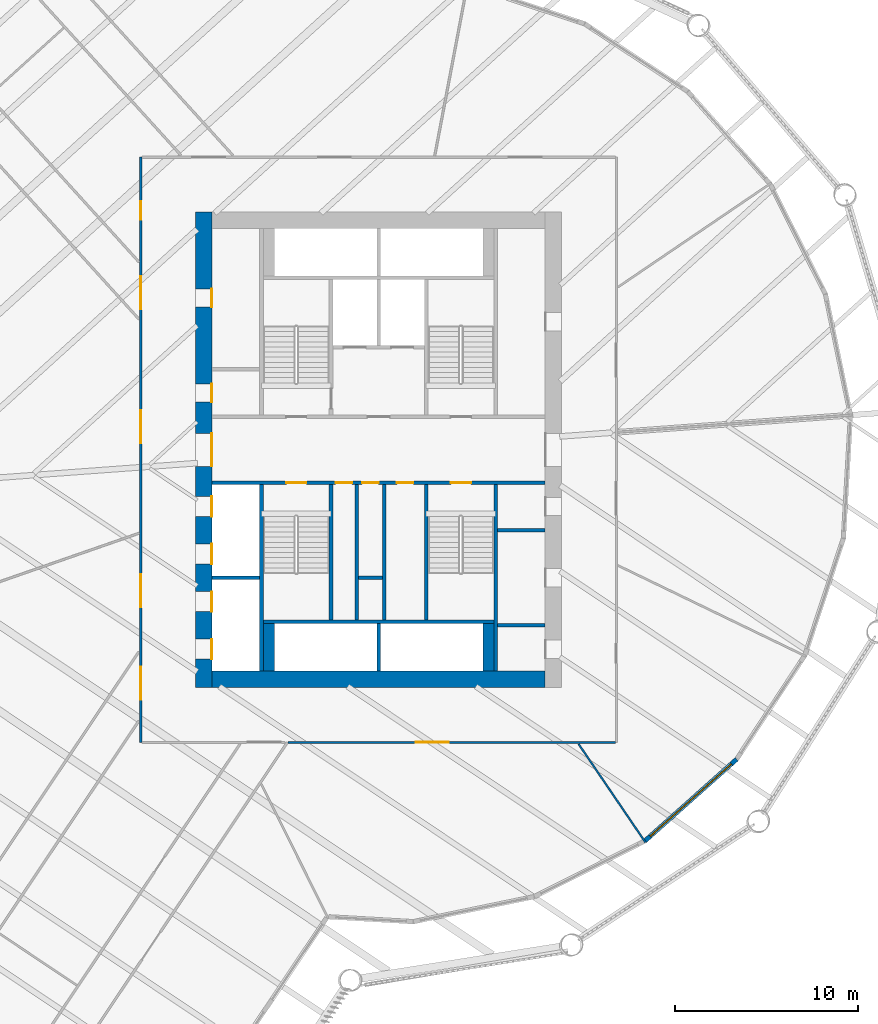
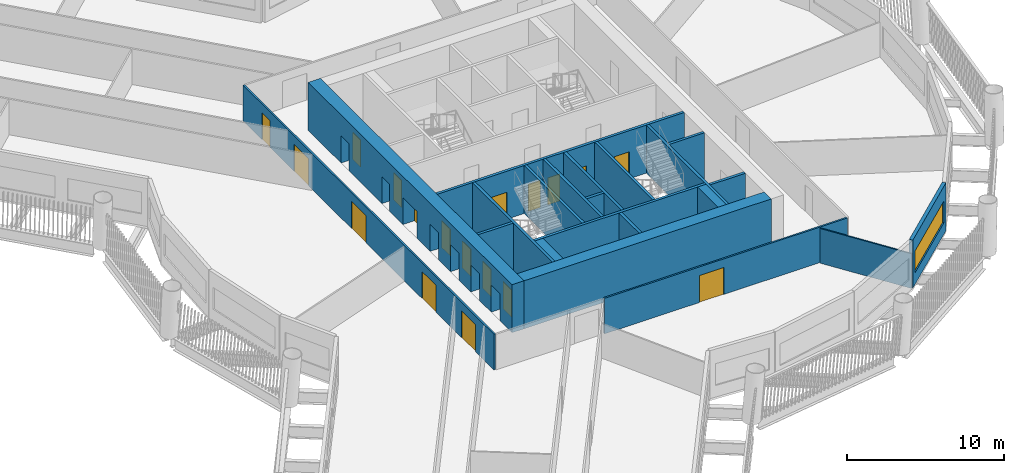
# One storey, part 4 of 15: 21 walls, 18 doors, 1 window, 19 openings.
"""IFC4 building model written with IfcOpenShell, lengths in metres."""

from ifc_helpers import new_model, si_unit, direction, frame, frame_2d, origin, place, context, subcontext, project, spatial, rectangle, extrude, material, layer, layer_set, type_object, element, fill, save


model = new_model("IFC4")

# Units and contexts
model_context = context("Model", 3, precision=1e-05, world=origin(), true_north=direction((0.0, 1.0)))
body_context = subcontext(model_context, "Body", "Model", "MODEL_VIEW")
ifc_project = project(units=[si_unit("LENGTHUNIT", "METRE"), si_unit("AREAUNIT", "SQUARE_METRE"), si_unit("VOLUMEUNIT", "CUBIC_METRE"), si_unit("PLANEANGLEUNIT", "RADIAN"), si_unit("MASSUNIT", "GRAM", prefix="KILO")], contexts=[model_context])

# Site, building, storey
site_placement = place(None, origin())
site = spatial("IfcSite", under=ifc_project, at=site_placement, CompositionType="ELEMENT")
building_placement = place(site_placement, origin())
building = spatial("IfcBuilding", under=site, at=building_placement, Name="Tarsis Ring Headquarters", CompositionType="ELEMENT")
storey_placement = place(building_placement, frame((0.0, 0.0, 59.5)))
storey = spatial("IfcBuildingStorey", under=building, at=storey_placement, Name="L12", CompositionType="ELEMENT", Elevation=59.5)

# Walls
ifc_material_1 = material(Name="Blockwork", Category="masonry")
ifc_layer_1 = layer(ifc_material_1, 0.199951171875)
ifc_layer_set_1 = layer_set([ifc_layer_1], Name="Core blockwork wall 200")
wall_type_1 = type_object("IfcWallType", Name="Core blockwork wall 200", PredefinedType="PARTITIONING", material=ifc_layer_set_1)
for number, where, z_axis, x_axis, name in (
    (1, (6.5, -9.60009765625, 0.0), (0.0, 0.0, 1.0), (1.0, 0.0, 0.0), "Core partition ED1"),
    (2, (6.5, -4.39990234375, 0.0), (0.0, 0.0, 1.0), (1.0, 0.0, 0.0), "Core partition ED3"),
):
    element("IfcWall", number, at=place(storey_placement, frame(where, z_axis=z_axis, x_axis=x_axis)), inside=storey, type_object=wall_type_1, Name=name, PredefinedType="PARTITIONING", context=body_context, shape_type="SweptSolid", body=[
        extrude(rectangle(XDim=2.60009765625, YDim=0.199951171875, at=frame_2d((1.300048828125, 0.0))), origin(), (0.0, 0.0, 1.0), 3.739990234375),
    ])
wall_1_placement = place(storey_placement, frame((-1.10009765625, -7.0, 0.0), z_axis=(0.0, 0.0, 1.0), x_axis=(1.0, 0.0, 0.0)))
element("IfcWall", 3, at=wall_1_placement, inside=storey, type_object=wall_type_1, Name="Core partition SP2", PredefinedType="PARTITIONING", context=body_context, shape_type="SweptSolid", body=[
    extrude(rectangle(XDim=1.300048828125, YDim=0.199951171875, at=frame_2d((0.64990234375, 0.0))), origin(), (0.0, 0.0, 1.0), 3.739990234375),
])
for number, where, z_axis, x_axis, name in (
    (4, (-1.199951171875, -9.300048828125, 0.0), (0.0, 0.0, 1.0), (0.0, 1.0, 0.0), "Core partition SV1"),
    (5, (0.300048828125, -9.300048828125, 0.0), (0.0, 0.0, 1.0), (0.0, 1.0, 0.0), "Core partition SV2"),
):
    element("IfcWall", number, at=place(storey_placement, frame(where, z_axis=z_axis, x_axis=x_axis)), inside=storey, type_object=wall_type_1, Name=name, PredefinedType="PARTITIONING", context=body_context, shape_type="SweptSolid", body=[
        extrude(rectangle(XDim=7.400146484375, YDim=0.199951171875, at=frame_2d((3.7001953125, 0.0))), origin(), (0.0, 0.0, 1.0), 3.739990234375),
    ])

# Wall, openings, doors
ifc_material_2 = material(Name="Concrete C60/75", Category="concrete")
ifc_layer_2 = layer(ifc_material_2, 0.89990234375)
ifc_layer_set_2 = layer_set([ifc_layer_2], Name="Core wall 900 C60/75")
wall_type_2 = type_object("IfcWallType", Name="Core wall 900 C60/75", PredefinedType="SHEAR", material=ifc_layer_set_2)
wall_2_placement = place(storey_placement, frame((-9.550048828125, -13.0, 0.0), z_axis=(0.0, 0.0, 1.0), x_axis=(0.0, 1.0, 0.0)))
wall_2 = element("IfcWall", 6, at=wall_2_placement, inside=storey, type_object=wall_type_2, Name="Core wall OW", PredefinedType="SHEAR", context=body_context, shape_type="SweptSolid", body=[
    extrude(rectangle(XDim=26.0, YDim=0.89990234375, at=frame_2d((13.0, 0.0))), origin(), (0.0, 0.0, 1.0), 3.739990234375),
])
opening_1_placement = place(wall_2_placement, frame((1.550048828125, 0.0, 0.0)))
opening_1 = element("IfcOpeningElement", 7, at=opening_1_placement, cuts=wall_2, Name="Opening LD-LR1", PredefinedType="OPENING", context=body_context, shape_type="SweptSolid", body=[
    extrude(rectangle(XDim=1.10009765625, YDim=2.10009765625, at=frame_2d((0.550048828125, 1.050048828125))), frame((0.0, 0.4599609375, 0.0), z_axis=(0.0, -1.0, 0.0), x_axis=(1.0, 0.0, 0.0)), (0.0, 0.0, 1.0), 0.919921875),
])
opening_2_placement = place(wall_2_placement, frame((4.14990234375, 0.0, 0.0)))
opening_2 = element("IfcOpeningElement", 8, at=opening_2_placement, cuts=wall_2, Name="Opening LD-LR2", PredefinedType="OPENING", context=body_context, shape_type="SweptSolid", body=[
    extrude(rectangle(XDim=1.10009765625, YDim=2.10009765625, at=frame_2d((0.550048828125, 1.050048828125))), frame((0.0, 0.4599609375, 0.0), z_axis=(0.0, -1.0, 0.0), x_axis=(1.0, 0.0, 0.0)), (0.0, 0.0, 1.0), 0.919921875),
])
opening_3_placement = place(wall_2_placement, frame((6.75, 0.0, 0.0)))
opening_3 = element("IfcOpeningElement", 9, at=opening_3_placement, cuts=wall_2, Name="Opening LD-LR3", PredefinedType="OPENING", context=body_context, shape_type="SweptSolid", body=[
    extrude(rectangle(XDim=1.10009765625, YDim=2.10009765625, at=frame_2d((0.550048828125, 1.050048828125))), frame((0.0, 0.4599609375, 0.0), z_axis=(0.0, -1.0, 0.0), x_axis=(1.0, 0.0, 0.0)), (0.0, 0.0, 1.0), 0.919921875),
])
opening_4_placement = place(wall_2_placement, frame((9.35009765625, 0.0, 0.0)))
opening_4 = element("IfcOpeningElement", 10, at=opening_4_placement, cuts=wall_2, Name="Opening LD-LR4", PredefinedType="OPENING", context=body_context, shape_type="SweptSolid", body=[
    extrude(rectangle(XDim=1.10009765625, YDim=2.10009765625, at=frame_2d((0.550048828125, 1.050048828125))), frame((0.0, 0.4599609375, 0.0), z_axis=(0.0, -1.0, 0.0), x_axis=(1.0, 0.0, 0.0)), (0.0, 0.0, 1.0), 0.919921875),
])
opening_5_placement = place(wall_2_placement, frame((12.10009765625, 0.0, 0.0)))
opening_5 = element("IfcOpeningElement", 11, at=opening_5_placement, cuts=wall_2, Name="Opening L12-C05", PredefinedType="OPENING", context=body_context, shape_type="SweptSolid", body=[
    extrude(rectangle(XDim=1.800048828125, YDim=2.10009765625, at=frame_2d((0.89990234375, 1.050048828125))), frame((0.0, 0.4599609375, 0.0), z_axis=(0.0, -1.0, 0.0), x_axis=(1.0, 0.0, 0.0)), (0.0, 0.0, 1.0), 0.919921875),
])
opening_6_placement = place(wall_2_placement, frame((15.60009765625, 0.0, 0.0)))
opening_6 = element("IfcOpeningElement", 12, at=opening_6_placement, cuts=wall_2, Name="Opening L12-C06", PredefinedType="OPENING", context=body_context, shape_type="SweptSolid", body=[
    extrude(rectangle(XDim=1.0, YDim=2.10009765625, at=frame_2d((0.5, 1.050048828125))), frame((0.0, 0.4599609375, 0.0), z_axis=(0.0, -1.0, 0.0), x_axis=(1.0, 0.0, 0.0)), (0.0, 0.0, 1.0), 0.919921875),
])
opening_7_placement = place(wall_2_placement, frame((20.800048828125, 0.0, 0.0)))
opening_7 = element("IfcOpeningElement", 13, at=opening_7_placement, cuts=wall_2, Name="Opening L12-C07", PredefinedType="OPENING", context=body_context, shape_type="SweptSolid", body=[
    extrude(rectangle(XDim=1.0, YDim=2.10009765625, at=frame_2d((0.5, 1.050048828125))), frame((0.0, 0.4599609375, 0.0), z_axis=(0.0, -1.0, 0.0), x_axis=(1.0, 0.0, 0.0)), (0.0, 0.0, 1.0), 0.919921875),
])
ifc_material_3 = material(Name="Steel S355", Category="steel")
door_type_1 = type_object("IfcDoorType", Name="Core entry door 1800x2100", OperationType="DOUBLE_DOOR_SINGLE_SWING", PredefinedType="DOOR", material=ifc_material_3)
door_1_placement = place(opening_5_placement, origin())
door_1 = element("IfcDoor", 14, at=door_1_placement, inside=storey, type_object=door_type_1, Name="Core entry door L12", OperationType="DOUBLE_DOOR_SINGLE_SWING", OverallHeight=2.10009765625, OverallWidth=1.800048828125, PredefinedType="DOOR", context=body_context, shape_type="SweptSolid", body=[
    extrude(rectangle(XDim=1.800048828125, YDim=2.10009765625, at=frame_2d((0.89990234375, 1.050048828125))), frame((0.0, -0.39990234375, 0.0), z_axis=(0.0, -1.0, 0.0), x_axis=(1.0, 0.0, 0.0)), (0.0, 0.0, 1.0), 0.050048828125),
])
fill(opening_5, door_1)
door_type_2 = type_object("IfcDoorType", Name="Core room door 1000x2100", OperationType="SINGLE_SWING_LEFT", PredefinedType="DOOR", material=ifc_material_3)
door_2_placement = place(opening_6_placement, origin())
door_2 = element("IfcDoor", 15, at=door_2_placement, inside=storey, type_object=door_type_2, Name="Core room door L12", OperationType="SINGLE_SWING_LEFT", OverallHeight=2.10009765625, OverallWidth=1.0, PredefinedType="DOOR", context=body_context, shape_type="SweptSolid", body=[
    extrude(rectangle(XDim=1.0, YDim=2.10009765625, at=frame_2d((0.5, 1.050048828125))), frame((0.0, -0.39990234375, 0.0), z_axis=(0.0, -1.0, 0.0), x_axis=(1.0, 0.0, 0.0)), (0.0, 0.0, 1.0), 0.050048828125),
])
fill(opening_6, door_2)
door_3_placement = place(opening_7_placement, origin())
door_3 = element("IfcDoor", 16, at=door_3_placement, inside=storey, type_object=door_type_2, Name="Core room door L12", OperationType="SINGLE_SWING_LEFT", OverallHeight=2.10009765625, OverallWidth=1.0, PredefinedType="DOOR", context=body_context, shape_type="SweptSolid", body=[
    extrude(rectangle(XDim=1.0, YDim=2.10009765625, at=frame_2d((0.5, 1.050048828125))), frame((0.0, -0.39990234375, 0.0), z_axis=(0.0, -1.0, 0.0), x_axis=(1.0, 0.0, 0.0)), (0.0, 0.0, 1.0), 0.050048828125),
])
fill(opening_7, door_3)
door_type_3 = type_object("IfcDoorType", Name="Landing door 1100x2100", OperationType="SLIDING_TO_LEFT", PredefinedType="DOOR", material=ifc_material_3)
door_4_placement = place(opening_1_placement, origin())
door_4 = element("IfcDoor", 17, at=door_4_placement, inside=storey, type_object=door_type_3, Name="Landing door LR1 L12", OperationType="SLIDING_TO_LEFT", OverallHeight=2.10009765625, OverallWidth=1.10009765625, PredefinedType="DOOR", context=body_context, shape_type="SweptSolid", body=[
    extrude(rectangle(XDim=1.10009765625, YDim=2.10009765625, at=frame_2d((0.550048828125, 1.050048828125))), frame((0.0, -0.39990234375, 0.0), z_axis=(0.0, -1.0, 0.0), x_axis=(1.0, 0.0, 0.0)), (0.0, 0.0, 1.0), 0.050048828125),
])
fill(opening_1, door_4)
door_5_placement = place(opening_2_placement, origin())
door_5 = element("IfcDoor", 18, at=door_5_placement, inside=storey, type_object=door_type_3, Name="Landing door LR2 L12", OperationType="SLIDING_TO_LEFT", OverallHeight=2.10009765625, OverallWidth=1.10009765625, PredefinedType="DOOR", context=body_context, shape_type="SweptSolid", body=[
    extrude(rectangle(XDim=1.10009765625, YDim=2.10009765625, at=frame_2d((0.550048828125, 1.050048828125))), frame((0.0, -0.39990234375, 0.0), z_axis=(0.0, -1.0, 0.0), x_axis=(1.0, 0.0, 0.0)), (0.0, 0.0, 1.0), 0.050048828125),
])
fill(opening_2, door_5)
door_6_placement = place(opening_3_placement, origin())
door_6 = element("IfcDoor", 19, at=door_6_placement, inside=storey, type_object=door_type_3, Name="Landing door LR3 L12", OperationType="SLIDING_TO_LEFT", OverallHeight=2.10009765625, OverallWidth=1.10009765625, PredefinedType="DOOR", context=body_context, shape_type="SweptSolid", body=[
    extrude(rectangle(XDim=1.10009765625, YDim=2.10009765625, at=frame_2d((0.550048828125, 1.050048828125))), frame((0.0, -0.39990234375, 0.0), z_axis=(0.0, -1.0, 0.0), x_axis=(1.0, 0.0, 0.0)), (0.0, 0.0, 1.0), 0.050048828125),
])
fill(opening_3, door_6)
door_7_placement = place(opening_4_placement, origin())
door_7 = element("IfcDoor", 20, at=door_7_placement, inside=storey, type_object=door_type_3, Name="Landing door LR4 L12", OperationType="SLIDING_TO_LEFT", OverallHeight=2.10009765625, OverallWidth=1.10009765625, PredefinedType="DOOR", context=body_context, shape_type="SweptSolid", body=[
    extrude(rectangle(XDim=1.10009765625, YDim=2.10009765625, at=frame_2d((0.550048828125, 1.050048828125))), frame((0.0, -0.39990234375, 0.0), z_axis=(0.0, -1.0, 0.0), x_axis=(1.0, 0.0, 0.0)), (0.0, 0.0, 1.0), 0.050048828125),
])
fill(opening_4, door_7)

# Walls
wall_3_placement = place(storey_placement, frame((-9.10009765625, -12.550048828125, 0.0), z_axis=(0.0, 0.0, 1.0), x_axis=(1.0, 0.0, 0.0)))
element("IfcWall", 21, at=wall_3_placement, inside=storey, type_object=wall_type_2, Name="Core wall OS", PredefinedType="SHEAR", context=body_context, shape_type="SweptSolid", body=[
    extrude(rectangle(XDim=18.2001953125, YDim=0.89990234375, at=frame_2d((9.10009765625, 0.0))), origin(), (0.0, 0.0, 1.0), 3.739990234375),
])
ifc_material_4 = material(Name="Gypsum board on steel studs", Category="steel")
ifc_layer_3 = layer(ifc_material_4, 0.10009765625)
ifc_layer_set_3 = layer_set([ifc_layer_3], Name="FL partition 100 unrated")
wall_type_3 = type_object("IfcWallType", Name="FL partition 100 unrated", PredefinedType="PARTITIONING", material=ifc_layer_set_3)
wall_4_placement = place(storey_placement, frame((10.9296875, -16.082763671875, 0.0), z_axis=(0.0, 0.0, 1.0), x_axis=(0.562111809654, -0.827061251327, 0.0)))
element("IfcWall", 22, at=wall_4_placement, inside=storey, type_object=wall_type_3, Name="Partition PW3", PredefinedType="PARTITIONING", context=body_context, shape_type="SweptSolid", body=[
    extrude(rectangle(XDim=6.502685546875, YDim=0.10009765625, at=frame_2d((3.25146484375, 0.0))), origin(), (0.0, 0.0, 1.0), 2.699951171875),
])

# Wall, openings, doors
ifc_layer_4 = layer(ifc_material_4, 0.125)
ifc_layer_set_4 = layer_set([ifc_layer_4], Name="FL partition 125 EI 60 H2770")
wall_type_4 = type_object("IfcWallType", Name="FL partition 125 EI 60 H2770", PredefinedType="PARTITIONING", material=ifc_layer_set_4)
wall_5_placement = place(storey_placement, frame((-13.0, -15.9990234375, 0.0), z_axis=(0.0, 0.0, 1.0), x_axis=(0.0, 1.0, 0.0)))
wall_5 = element("IfcWall", 23, at=wall_5_placement, inside=storey, type_object=wall_type_4, Name="Partition PW1", PredefinedType="PARTITIONING", context=body_context, shape_type="SweptSolid", body=[
    extrude(rectangle(XDim=31.998046875, YDim=0.125, at=frame_2d((15.9990234375, 0.0))), origin(), (0.0, 0.0, 1.0), 2.77001953125),
])
opening_8_placement = place(wall_5_placement, frame((7.395263671875, 0.0, 0.0)))
opening_8 = element("IfcOpeningElement", 24, at=opening_8_placement, cuts=wall_5, Name="Opening D12.11", PredefinedType="OPENING", context=body_context, shape_type="SweptSolid", body=[
    extrude(rectangle(XDim=1.800048828125, YDim=2.10009765625, at=frame_2d((0.89990234375, 1.050048828125))), frame((0.0, 0.072509765625, 0.0), z_axis=(0.0, -1.0, 0.0), x_axis=(1.0, 0.0, 0.0)), (0.0, 0.0, 1.0), 0.14501953125),
])
opening_9_placement = place(wall_5_placement, frame((16.34912109375, 0.0, 0.0)))
opening_9 = element("IfcOpeningElement", 25, at=opening_9_placement, cuts=wall_5, Name="Opening D12.12", PredefinedType="OPENING", context=body_context, shape_type="SweptSolid", body=[
    extrude(rectangle(XDim=1.800048828125, YDim=2.10009765625, at=frame_2d((0.89990234375, 1.050048828125))), frame((0.0, 0.072509765625, 0.0), z_axis=(0.0, -1.0, 0.0), x_axis=(1.0, 0.0, 0.0)), (0.0, 0.0, 1.0), 0.14501953125),
])
opening_10_placement = place(wall_5_placement, frame((28.575439453125, 0.0, 0.0)))
opening_10 = element("IfcOpeningElement", 26, at=opening_10_placement, cuts=wall_5, Name="Opening D12.13", PredefinedType="OPENING", context=body_context, shape_type="SweptSolid", body=[
    extrude(rectangle(XDim=1.0, YDim=2.10009765625, at=frame_2d((0.5, 1.050048828125))), frame((0.0, 0.072509765625, 0.0), z_axis=(0.0, -1.0, 0.0), x_axis=(1.0, 0.0, 0.0)), (0.0, 0.0, 1.0), 0.14501953125),
])
opening_11_placement = place(wall_5_placement, frame((2.3310546875, 0.0, 0.0)))
opening_11 = element("IfcOpeningElement", 27, at=opening_11_placement, cuts=wall_5, Name="Opening D12.17", PredefinedType="OPENING", context=body_context, shape_type="SweptSolid", body=[
    extrude(rectangle(XDim=1.800048828125, YDim=2.10009765625, at=frame_2d((0.89990234375, 1.050048828125))), frame((0.0, 0.072509765625, 0.0), z_axis=(0.0, -1.0, 0.0), x_axis=(1.0, 0.0, 0.0)), (0.0, 0.0, 1.0), 0.14501953125),
])
opening_12_placement = place(wall_5_placement, frame((23.689697265625, 0.0, 0.0)))
opening_12 = element("IfcOpeningElement", 28, at=opening_12_placement, cuts=wall_5, Name="Opening D12.19", PredefinedType="OPENING", context=body_context, shape_type="SweptSolid", body=[
    extrude(rectangle(XDim=1.800048828125, YDim=2.10009765625, at=frame_2d((0.89990234375, 1.050048828125))), frame((0.0, 0.072509765625, 0.0), z_axis=(0.0, -1.0, 0.0), x_axis=(1.0, 0.0, 0.0)), (0.0, 0.0, 1.0), 0.14501953125),
])
ifc_material_5 = material(Name="Fire-rated timber door leaf in steel frame", Category="steel")
door_type_4 = type_object("IfcDoorType", Name="FL door FD60-1000", OperationType="NOTDEFINED", PredefinedType="DOOR", material=ifc_material_5)
door_8_placement = place(opening_10_placement, origin())
door_8 = element("IfcDoor", 29, at=door_8_placement, inside=storey, type_object=door_type_4, Name="Door D12.13", OperationType="SINGLE_SWING_LEFT", OverallHeight=2.10009765625, OverallWidth=1.0, PredefinedType="DOOR", context=body_context, shape_type="SweptSolid", body=[
    extrude(rectangle(XDim=1.0, YDim=2.10009765625, at=frame_2d((0.5, 1.050048828125))), frame((0.0, 0.02490234375, 0.0), z_axis=(0.0, -1.0, 0.0), x_axis=(1.0, 0.0, 0.0)), (0.0, 0.0, 1.0), 0.050048828125),
])
fill(opening_10, door_8)
door_type_5 = type_object("IfcDoorType", Name="FL door FD60-1800", OperationType="DOUBLE_DOOR_SINGLE_SWING", PredefinedType="DOOR", material=ifc_material_5)
door_9_placement = place(opening_8_placement, origin())
door_9 = element("IfcDoor", 30, at=door_9_placement, inside=storey, type_object=door_type_5, Name="Door D12.11", OperationType="DOUBLE_DOOR_SINGLE_SWING", OverallHeight=2.10009765625, OverallWidth=1.800048828125, PredefinedType="DOOR", context=body_context, shape_type="SweptSolid", body=[
    extrude(rectangle(XDim=1.800048828125, YDim=2.10009765625, at=frame_2d((0.89990234375, 1.050048828125))), frame((0.0, 0.02490234375, 0.0), z_axis=(0.0, -1.0, 0.0), x_axis=(1.0, 0.0, 0.0)), (0.0, 0.0, 1.0), 0.050048828125),
])
fill(opening_8, door_9)
door_10_placement = place(opening_9_placement, origin())
door_10 = element("IfcDoor", 31, at=door_10_placement, inside=storey, type_object=door_type_5, Name="Door D12.12", OperationType="DOUBLE_DOOR_SINGLE_SWING", OverallHeight=2.10009765625, OverallWidth=1.800048828125, PredefinedType="DOOR", context=body_context, shape_type="SweptSolid", body=[
    extrude(rectangle(XDim=1.800048828125, YDim=2.10009765625, at=frame_2d((0.89990234375, 1.050048828125))), frame((0.0, 0.02490234375, 0.0), z_axis=(0.0, -1.0, 0.0), x_axis=(1.0, 0.0, 0.0)), (0.0, 0.0, 1.0), 0.050048828125),
])
fill(opening_9, door_10)
door_11_placement = place(opening_11_placement, origin())
door_11 = element("IfcDoor", 32, at=door_11_placement, inside=storey, type_object=door_type_5, Name="Door D12.17", OperationType="DOUBLE_DOOR_SINGLE_SWING", OverallHeight=2.10009765625, OverallWidth=1.800048828125, PredefinedType="DOOR", context=body_context, shape_type="SweptSolid", body=[
    extrude(rectangle(XDim=1.800048828125, YDim=2.10009765625, at=frame_2d((0.89990234375, 1.050048828125))), frame((0.0, 0.02490234375, 0.0), z_axis=(0.0, -1.0, 0.0), x_axis=(1.0, 0.0, 0.0)), (0.0, 0.0, 1.0), 0.050048828125),
])
fill(opening_11, door_11)
door_12_placement = place(opening_12_placement, origin())
door_12 = element("IfcDoor", 33, at=door_12_placement, inside=storey, type_object=door_type_5, Name="Door D12.19", OperationType="DOUBLE_DOOR_SINGLE_SWING", OverallHeight=2.10009765625, OverallWidth=1.800048828125, PredefinedType="DOOR", context=body_context, shape_type="SweptSolid", body=[
    extrude(rectangle(XDim=1.800048828125, YDim=2.10009765625, at=frame_2d((0.89990234375, 1.050048828125))), frame((0.0, 0.02490234375, 0.0), z_axis=(0.0, -1.0, 0.0), x_axis=(1.0, 0.0, 0.0)), (0.0, 0.0, 1.0), 0.050048828125),
])
fill(opening_12, door_12)

# Wall, opening, door
wall_6_placement = place(storey_placement, frame((-4.943115234375, -16.0, 0.0), z_axis=(0.0, 0.0, 1.0), x_axis=(1.0, 0.0, 0.0)))
wall_6 = element("IfcWall", 34, at=wall_6_placement, inside=storey, type_object=wall_type_4, Name="Partition PW1", PredefinedType="PARTITIONING", context=body_context, shape_type="SweptSolid", body=[
    extrude(rectangle(XDim=17.883056640625, YDim=0.125, at=frame_2d((8.94140625, 0.0))), origin(), (0.0, 0.0, 1.0), 2.77001953125),
])
opening_13_placement = place(wall_6_placement, frame((6.982421875, 0.0, 0.0)))
opening_13 = element("IfcOpeningElement", 35, at=opening_13_placement, cuts=wall_6, Name="Opening D12.08", PredefinedType="OPENING", context=body_context, shape_type="SweptSolid", body=[
    extrude(rectangle(XDim=1.800048828125, YDim=2.10009765625, at=frame_2d((0.89990234375, 1.050048828125))), frame((0.0, 0.072509765625, 0.0), z_axis=(0.0, -1.0, 0.0), x_axis=(1.0, 0.0, 0.0)), (0.0, 0.0, 1.0), 0.14501953125),
])
door_13_placement = place(opening_13_placement, origin())
door_13 = element("IfcDoor", 36, at=door_13_placement, inside=storey, type_object=door_type_5, Name="Door D12.08", OperationType="DOUBLE_DOOR_SINGLE_SWING", OverallHeight=2.10009765625, OverallWidth=1.800048828125, PredefinedType="DOOR", context=body_context, shape_type="SweptSolid", body=[
    extrude(rectangle(XDim=1.800048828125, YDim=2.10009765625, at=frame_2d((0.89990234375, 1.050048828125))), frame((0.0, 0.02490234375, 0.0), z_axis=(0.0, -1.0, 0.0), x_axis=(1.0, 0.0, 0.0)), (0.0, 0.0, 1.0), 0.050048828125),
])
fill(opening_13, door_13)

# Wall, opening, window
ifc_material_6 = material(Name="Terracotta clad insulated panel wall", Category="masonry")
ifc_layer_5 = layer(ifc_material_6, 0.25)
ifc_layer_set_5 = layer_set([ifc_layer_5], Name="Facade wall terracotta panel 250")
wall_type_5 = type_object("IfcWallType", Name="Facade wall terracotta panel 250", PredefinedType="STANDARD", material=ifc_layer_set_5)
wall_7_placement = place(storey_placement, frame((14.5556640625, -21.388916015625, 0.0), z_axis=(0.0, 0.0, 1.0), x_axis=(0.746633273949, 0.66523586361, 0.0)))
wall_7 = element("IfcWall", 37, at=wall_7_placement, inside=storey, type_object=wall_type_5, Name="External wall L12-20", PredefinedType="STANDARD", context=body_context, shape_type="SweptSolid", body=[
    extrude(rectangle(XDim=6.7216796875, YDim=0.25, at=frame_2d((3.36083984375, 0.0))), origin(), (0.0, 0.0, 1.0), 3.739990234375),
])
opening_14_placement = place(wall_7_placement, frame((0.3857421875, 0.0, 0.89990234375)))
opening_14 = element("IfcOpeningElement", 38, at=opening_14_placement, cuts=wall_7, Name="Opening WN07", PredefinedType="OPENING", context=body_context, shape_type="SweptSolid", body=[
    extrude(rectangle(XDim=5.949951171875, YDim=1.699951171875, at=frame_2d((2.97509765625, 0.85009765625))), frame((0.0, 0.135009765625, 0.0), z_axis=(0.0, -1.0, 0.0), x_axis=(1.0, 0.0, 0.0)), (0.0, 0.0, 1.0), 0.27001953125),
])
ifc_material_7 = material(Name="Aluminium framed double glazing", Category="aluminium")
window_type = type_object("IfcWindowType", Name="Facade window 5950 x 1700", PartitioningType="SINGLE_PANEL", PredefinedType="WINDOW", material=ifc_material_7)
window_placement = place(opening_14_placement, origin())
window = element("IfcWindow", 39, at=window_placement, inside=storey, type_object=window_type, Name="Window L12-20.1", OverallHeight=1.699951171875, OverallWidth=5.949951171875, PartitioningType="SINGLE_PANEL", PredefinedType="WINDOW", context=body_context, shape_type="SweptSolid", body=[
    extrude(rectangle(XDim=5.949951171875, YDim=1.699951171875, at=frame_2d((2.97509765625, 0.85009765625))), frame((0.0, 0.030029296875, 0.0), z_axis=(0.0, -1.0, 0.0), x_axis=(1.0, 0.0, 0.0)), (0.0, 0.0, 1.0), 0.06005859375),
])
fill(opening_14, window)

# Walls
ifc_material_8 = material(Name="Concrete C32/40", Category="concrete")
ifc_layer_6 = layer(ifc_material_8, 0.60009765625)
ifc_layer_set_6 = layer_set([ifc_layer_6], Name="Shaft end wall 600 C32/40")
wall_type_6 = type_object("IfcWallType", Name="Shaft end wall 600 C32/40", PredefinedType="SOLIDWALL", material=ifc_layer_set_6)
for number, where, z_axis, x_axis, name in (
    (40, (-6.0, -12.10009765625, 0.0), (0.0, 0.0, 1.0), (0.0, 1.0, 0.0), "Core shaft wall SNE1"),
    (41, (6.0, -12.10009765625, 0.0), (0.0, 0.0, 1.0), (0.0, 1.0, 0.0), "Core shaft wall SNE2"),
):
    element("IfcWall", number, at=place(storey_placement, frame(where, z_axis=z_axis, x_axis=x_axis)), inside=storey, type_object=wall_type_6, Name=name, PredefinedType="SOLIDWALL", context=body_context, shape_type="SweptSolid", body=[
        extrude(rectangle(XDim=2.60009765625, YDim=0.60009765625, at=frame_2d((1.300048828125, 0.0))), origin(), (0.0, 0.0, 1.0), 3.739990234375),
    ])

# Wall, openings, doors
ifc_layer_7 = layer(ifc_material_8, 0.199951171875)
ifc_layer_set_7 = layer_set([ifc_layer_7], Name="Shaft wall 200 C32/40")
wall_type_7 = type_object("IfcWallType", Name="Shaft wall 200 C32/40", PredefinedType="SOLIDWALL", material=ifc_layer_set_7)
wall_8_placement = place(storey_placement, frame((-9.10009765625, -1.800048828125, 0.0), z_axis=(0.0, 0.0, 1.0), x_axis=(1.0, 0.0, 0.0)))
wall_8 = element("IfcWall", 42, at=wall_8_placement, inside=storey, type_object=wall_type_7, Name="Core shaft wall CS", PredefinedType="SOLIDWALL", context=body_context, shape_type="SweptSolid", body=[
    extrude(rectangle(XDim=18.2001953125, YDim=0.199951171875, at=frame_2d((9.10009765625, 0.0))), origin(), (0.0, 0.0, 1.0), 3.739990234375),
])
opening_15_placement = place(wall_8_placement, frame((4.050048828125, 0.0, 0.0)))
opening_15 = element("IfcOpeningElement", 43, at=opening_15_placement, cuts=wall_8, Name="Opening L12-C16", PredefinedType="OPENING", context=body_context, shape_type="SweptSolid", body=[
    extrude(rectangle(XDim=1.10009765625, YDim=2.10009765625, at=frame_2d((0.550048828125, 1.050048828125))), frame((0.0, 0.10986328125, 0.0), z_axis=(0.0, -1.0, 0.0), x_axis=(1.0, 0.0, 0.0)), (0.0, 0.0, 1.0), 0.219970703125),
])
opening_16_placement = place(wall_8_placement, frame((6.75, 0.0, 0.0)))
opening_16 = element("IfcOpeningElement", 44, at=opening_16_placement, cuts=wall_8, Name="Opening L12-C17", PredefinedType="OPENING", context=body_context, shape_type="SweptSolid", body=[
    extrude(rectangle(XDim=0.89990234375, YDim=2.10009765625, at=frame_2d((0.449951171875, 1.050048828125))), frame((0.0, 0.10986328125, 0.0), z_axis=(0.0, -1.0, 0.0), x_axis=(1.0, 0.0, 0.0)), (0.0, 0.0, 1.0), 0.219970703125),
])
opening_17_placement = place(wall_8_placement, frame((8.199951171875, 0.0, 0.0)))
opening_17 = element("IfcOpeningElement", 45, at=opening_17_placement, cuts=wall_8, Name="Opening L12-C18", PredefinedType="OPENING", context=body_context, shape_type="SweptSolid", body=[
    extrude(rectangle(XDim=0.89990234375, YDim=2.10009765625, at=frame_2d((0.449951171875, 1.050048828125))), frame((0.0, 0.10986328125, 0.0), z_axis=(0.0, -1.0, 0.0), x_axis=(1.0, 0.0, 0.0)), (0.0, 0.0, 1.0), 0.219970703125),
])
opening_18_placement = place(wall_8_placement, frame((10.10009765625, 0.0, 0.0)))
opening_18 = element("IfcOpeningElement", 46, at=opening_18_placement, cuts=wall_8, Name="Opening L12-C19", PredefinedType="OPENING", context=body_context, shape_type="SweptSolid", body=[
    extrude(rectangle(XDim=0.89990234375, YDim=2.10009765625, at=frame_2d((0.449951171875, 1.050048828125))), frame((0.0, 0.10986328125, 0.0), z_axis=(0.0, -1.0, 0.0), x_axis=(1.0, 0.0, 0.0)), (0.0, 0.0, 1.0), 0.219970703125),
])
opening_19_placement = place(wall_8_placement, frame((13.050048828125, 0.0, 0.0)))
opening_19 = element("IfcOpeningElement", 47, at=opening_19_placement, cuts=wall_8, Name="Opening L12-C20", PredefinedType="OPENING", context=body_context, shape_type="SweptSolid", body=[
    extrude(rectangle(XDim=1.10009765625, YDim=2.10009765625, at=frame_2d((0.550048828125, 1.050048828125))), frame((0.0, 0.10986328125, 0.0), z_axis=(0.0, -1.0, 0.0), x_axis=(1.0, 0.0, 0.0)), (0.0, 0.0, 1.0), 0.219970703125),
])
door_type_6 = type_object("IfcDoorType", Name="Stair door 1100x2100", OperationType="SINGLE_SWING_LEFT", PredefinedType="DOOR", material=ifc_material_3)
door_14_placement = place(opening_15_placement, origin())
door_14 = element("IfcDoor", 48, at=door_14_placement, inside=storey, type_object=door_type_6, Name="Stair door L12", OperationType="SINGLE_SWING_LEFT", OverallHeight=2.10009765625, OverallWidth=1.10009765625, PredefinedType="DOOR", context=body_context, shape_type="SweptSolid", body=[
    extrude(rectangle(XDim=1.10009765625, YDim=2.10009765625, at=frame_2d((0.550048828125, 1.050048828125))), frame((0.0, 0.02490234375, 0.0), z_axis=(0.0, -1.0, 0.0), x_axis=(1.0, 0.0, 0.0)), (0.0, 0.0, 1.0), 0.050048828125),
])
fill(opening_15, door_14)
door_15_placement = place(opening_19_placement, origin())
door_15 = element("IfcDoor", 49, at=door_15_placement, inside=storey, type_object=door_type_6, Name="Stair door L12", OperationType="SINGLE_SWING_LEFT", OverallHeight=2.10009765625, OverallWidth=1.10009765625, PredefinedType="DOOR", context=body_context, shape_type="SweptSolid", body=[
    extrude(rectangle(XDim=1.10009765625, YDim=2.10009765625, at=frame_2d((0.550048828125, 1.050048828125))), frame((0.0, 0.02490234375, 0.0), z_axis=(0.0, -1.0, 0.0), x_axis=(1.0, 0.0, 0.0)), (0.0, 0.0, 1.0), 0.050048828125),
])
fill(opening_19, door_15)
door_type_7 = type_object("IfcDoorType", Name="WC door 900x2100", OperationType="SINGLE_SWING_LEFT", PredefinedType="DOOR", material=ifc_material_3)
door_16_placement = place(opening_16_placement, origin())
door_16 = element("IfcDoor", 50, at=door_16_placement, inside=storey, type_object=door_type_7, Name="WC door L12", OperationType="SINGLE_SWING_LEFT", OverallHeight=2.10009765625, OverallWidth=0.89990234375, PredefinedType="DOOR", context=body_context, shape_type="SweptSolid", body=[
    extrude(rectangle(XDim=0.89990234375, YDim=2.10009765625, at=frame_2d((0.449951171875, 1.050048828125))), frame((0.0, 0.02490234375, 0.0), z_axis=(0.0, -1.0, 0.0), x_axis=(1.0, 0.0, 0.0)), (0.0, 0.0, 1.0), 0.050048828125),
])
fill(opening_16, door_16)
door_17_placement = place(opening_17_placement, origin())
door_17 = element("IfcDoor", 51, at=door_17_placement, inside=storey, type_object=door_type_7, Name="WC door L12", OperationType="SINGLE_SWING_LEFT", OverallHeight=2.10009765625, OverallWidth=0.89990234375, PredefinedType="DOOR", context=body_context, shape_type="SweptSolid", body=[
    extrude(rectangle(XDim=0.89990234375, YDim=2.10009765625, at=frame_2d((0.449951171875, 1.050048828125))), frame((0.0, 0.02490234375, 0.0), z_axis=(0.0, -1.0, 0.0), x_axis=(1.0, 0.0, 0.0)), (0.0, 0.0, 1.0), 0.050048828125),
])
fill(opening_17, door_17)
door_18_placement = place(opening_18_placement, origin())
door_18 = element("IfcDoor", 52, at=door_18_placement, inside=storey, type_object=door_type_7, Name="WC door L12", OperationType="SINGLE_SWING_LEFT", OverallHeight=2.10009765625, OverallWidth=0.89990234375, PredefinedType="DOOR", context=body_context, shape_type="SweptSolid", body=[
    extrude(rectangle(XDim=0.89990234375, YDim=2.10009765625, at=frame_2d((0.449951171875, 1.050048828125))), frame((0.0, 0.02490234375, 0.0), z_axis=(0.0, -1.0, 0.0), x_axis=(1.0, 0.0, 0.0)), (0.0, 0.0, 1.0), 0.050048828125),
])
fill(opening_18, door_18)

# Walls
for number, where, z_axis, x_axis, name in (
    (53, (-6.39990234375, -12.10009765625, 0.0), (0.0, 0.0, 1.0), (0.0, 1.0, 0.0), "Core shaft wall WB1"),
    (54, (6.39990234375, -12.10009765625, 0.0), (0.0, 0.0, 1.0), (0.0, 1.0, 0.0), "Core shaft wall EB1"),
):
    element("IfcWall", number, at=place(storey_placement, frame(where, z_axis=z_axis, x_axis=x_axis)), inside=storey, type_object=wall_type_7, Name=name, PredefinedType="SOLIDWALL", context=body_context, shape_type="SweptSolid", body=[
        extrude(rectangle(XDim=10.2001953125, YDim=0.199951171875, at=frame_2d((5.10009765625, 0.0))), origin(), (0.0, 0.0, 1.0), 3.739990234375),
    ])
wall_9_placement = place(storey_placement, frame((-6.300048828125, -9.39990234375, 0.0), z_axis=(0.0, 0.0, 1.0), x_axis=(1.0, 0.0, 0.0)))
element("IfcWall", 55, at=wall_9_placement, inside=storey, type_object=wall_type_7, Name="Core shaft wall SB", PredefinedType="SOLIDWALL", context=body_context, shape_type="SweptSolid", body=[
    extrude(rectangle(XDim=12.60009765625, YDim=0.199951171875, at=frame_2d((6.300048828125, 0.0))), origin(), (0.0, 0.0, 1.0), 3.739990234375),
])
for number, where, z_axis, x_axis, name in (
    (56, (-2.60009765625, -9.300048828125, 0.0), (0.0, 0.0, 1.0), (0.0, 1.0, 0.0), "Core shaft wall SW3"),
    (57, (2.60009765625, -9.300048828125, 0.0), (0.0, 0.0, 1.0), (0.0, 1.0, 0.0), "Core shaft wall SW4"),
):
    element("IfcWall", number, at=place(storey_placement, frame(where, z_axis=z_axis, x_axis=x_axis)), inside=storey, type_object=wall_type_7, Name=name, PredefinedType="SOLIDWALL", context=body_context, shape_type="SweptSolid", body=[
        extrude(rectangle(XDim=7.400146484375, YDim=0.199951171875, at=frame_2d((3.7001953125, 0.0))), origin(), (0.0, 0.0, 1.0), 3.739990234375),
    ])
for number, where, z_axis, x_axis, name in (
    (58, (-9.10009765625, -7.0, 0.0), (0.0, 0.0, 1.0), (1.0, 0.0, 0.0), "Core shaft wall WD2"),
    (59, (0.0, -12.10009765625, 0.0), (0.0, 0.0, 1.0), (0.0, 1.0, 0.0), "Core shaft wall SD2"),
):
    element("IfcWall", number, at=place(storey_placement, frame(where, z_axis=z_axis, x_axis=x_axis)), inside=storey, type_object=wall_type_7, Name=name, PredefinedType="SOLIDWALL", context=body_context, shape_type="SweptSolid", body=[
        extrude(rectangle(XDim=2.60009765625, YDim=0.199951171875, at=frame_2d((1.300048828125, 0.0))), origin(), (0.0, 0.0, 1.0), 3.739990234375),
    ])

save(model, "model.ifc")
